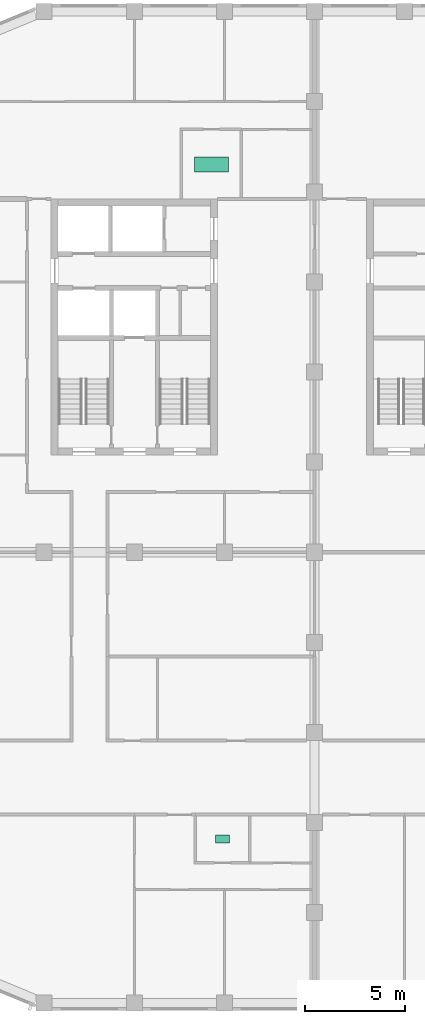
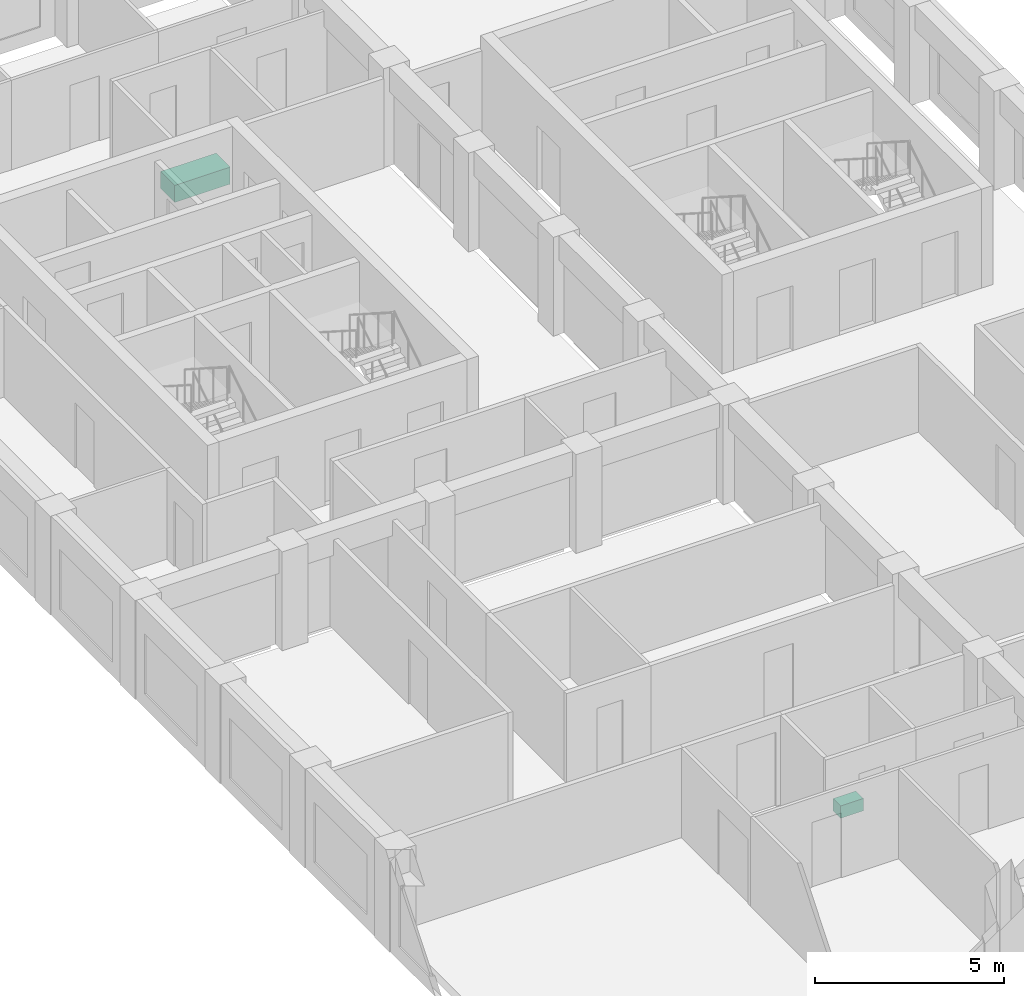
# One storey, part 9 of 9: 2 sanitary terminals.
"""IFC4 building model written with IfcOpenShell, lengths in metres."""

from ifc_helpers import new_model, si_unit, direction, frame, origin, origin_2d, place, context, subcontext, project, spatial, rectangle, extrude, material, type_object, element, save


model = new_model("IFC4")

# Units and contexts
model_context = context("Model", 3, precision=1e-05, world=origin(), true_north=direction((0.0, 1.0)))
body_context = subcontext(model_context, "Body", "Model", "MODEL_VIEW")
ifc_project = project(units=[si_unit("LENGTHUNIT", "METRE"), si_unit("AREAUNIT", "SQUARE_METRE"), si_unit("VOLUMEUNIT", "CUBIC_METRE"), si_unit("PLANEANGLEUNIT", "RADIAN"), si_unit("MASSUNIT", "GRAM", prefix="KILO")], contexts=[model_context])

# Site, building, storey
site_placement = place(None, origin())
site = spatial("IfcSite", under=ifc_project, at=site_placement, CompositionType="ELEMENT")
building_placement = place(site_placement, origin())
building = spatial("IfcBuilding", under=site, at=building_placement, Name="Girih Gate Residences", CompositionType="ELEMENT")
storey_placement = place(building_placement, frame((0.0, 0.0, 185.89990234375)))
storey = spatial("IfcBuildingStorey", under=building, at=storey_placement, Name="L51", CompositionType="ELEMENT", Elevation=185.89990234375)

# Sanitary terminals
ifc_material_1 = material(Name="Acrylic")
sanitary_terminal_type_1 = type_object("IfcSanitaryTerminalType", Name="Bath 1700", PredefinedType="BATH", material=ifc_material_1)
sanitary_terminal_1_placement = place(storey_placement, frame((12.85009765625, 41.85400390625, 0.0), z_axis=(0.0, 0.0, 1.0), x_axis=(1.0, 0.0, 0.0)))
element("IfcSanitaryTerminal", 1, at=sanitary_terminal_1_placement, inside=storey, type_object=sanitary_terminal_type_1, Name="Bath 1700 L51", PredefinedType="BATH", context=body_context, shape_type="SweptSolid", body=[
    extrude(rectangle(XDim=1.699951171875, YDim=0.75, at=origin_2d()), origin(), (0.0, 0.0, 1.0), 0.550048828125),
])
ifc_material_2 = material(Name="Vitreous china")
sanitary_terminal_type_2 = type_object("IfcSanitaryTerminalType", Name="WC pan", PredefinedType="TOILETPAN", material=ifc_material_2)
sanitary_terminal_2_placement = place(storey_placement, frame((13.405029296875, 8.18896484375, 0.000244140625), z_axis=(0.0, 0.0, 1.0), x_axis=(1.0, 0.0, 0.0)))
element("IfcSanitaryTerminal", 2, at=sanitary_terminal_2_placement, inside=storey, type_object=sanitary_terminal_type_2, Name="WC pan L51", PredefinedType="TOILETPAN", context=body_context, shape_type="SweptSolid", body=[
    extrude(rectangle(XDim=0.699951171875, YDim=0.39990234375, at=origin_2d()), origin(), (0.0, 0.0, 1.0), 0.39990234375),
])

save(model, "model.ifc")
